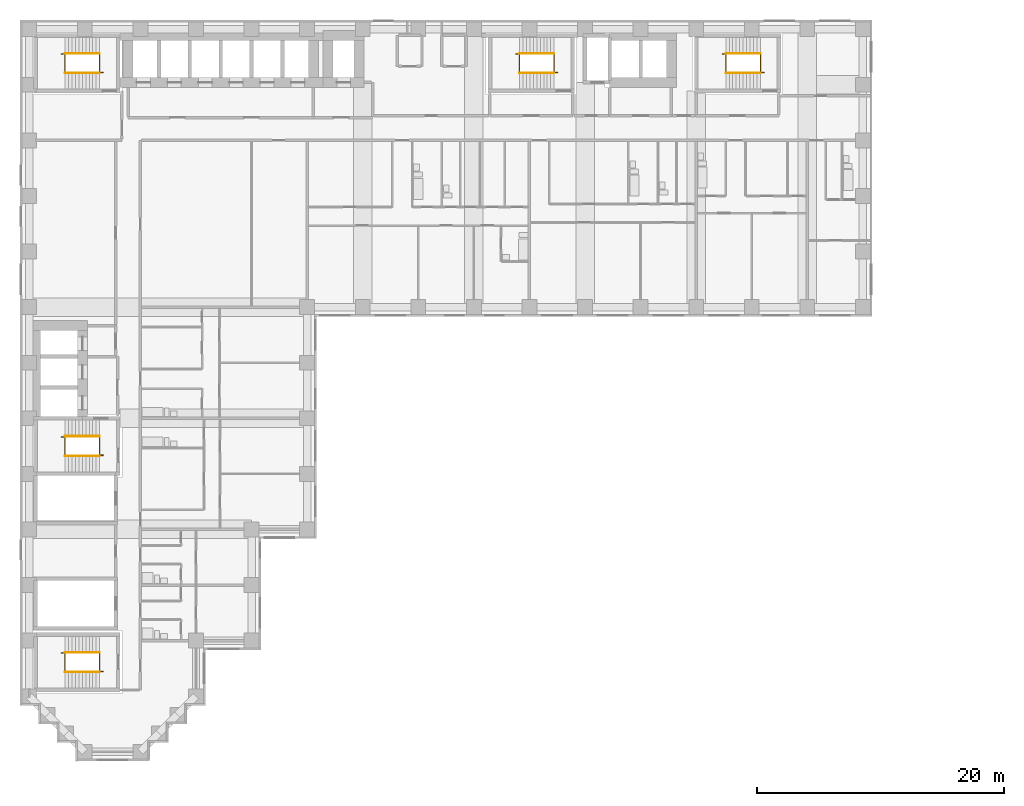
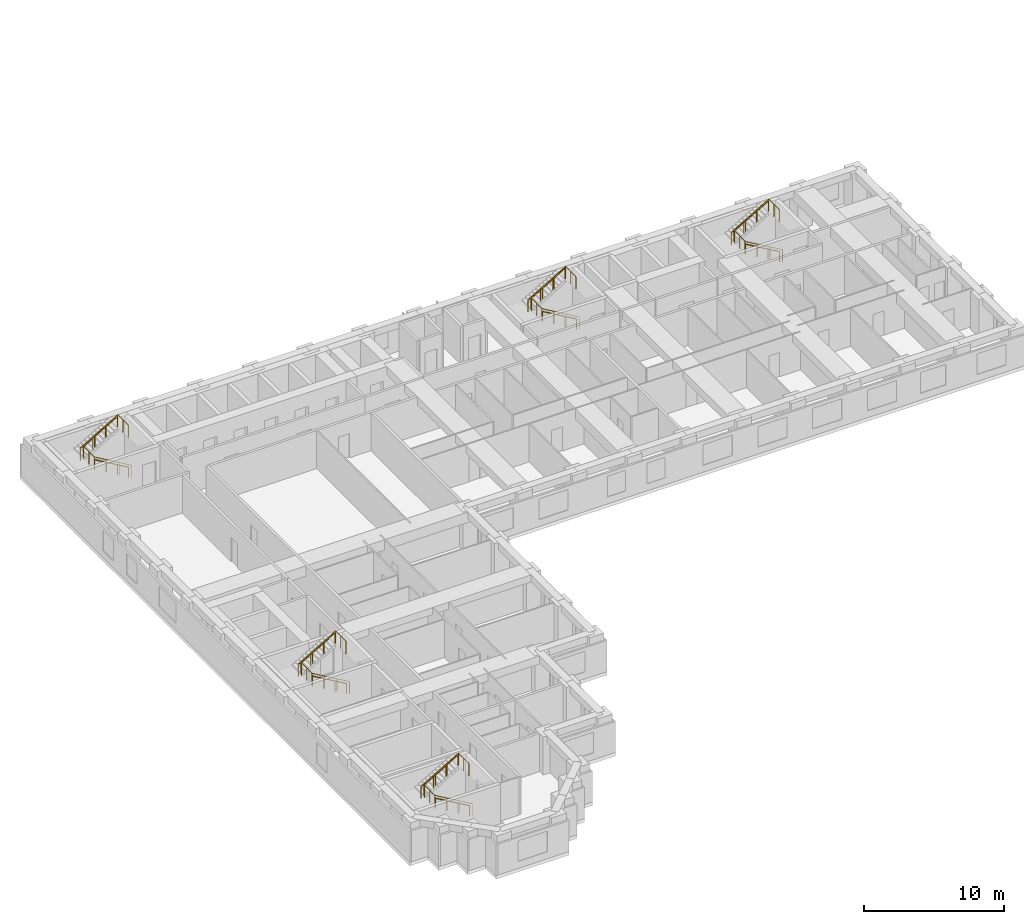
# One storey, part 13 of 14: 15 railings.
"""IFC4 building model written with IfcOpenShell, lengths in metres."""

import ifcopenshell
import ifcopenshell.guid

model = None  # the IFC model being written
_history = None  # IfcOwnerHistory: only IFC2X3 demands one
_inside = {}  # id of a spatial element -> (the spatial element, [elements in it])
_under = {}  # id of a project, library or spatial element -> (it, [spatial elements below it])
_declared = {}  # id of a project -> (the project, [libraries it declares])
_typed = {}  # id of a type object -> (the type object, [elements of that type])
_made_of = {}  # id of a material, layer set ... -> (it, [elements and type objects made of it])


def new_model(schema):
    """Start an empty IFC model of exactly this schema.

    Asked for "IFC4X3", IfcOpenShell would pick the latest addendum, in which some entities
    have other attributes; the version numbers below select the first issue.
    IFC2X3 requires an IfcOwnerHistory on every rooted entity: one is made here for all.
    """
    global model, _history
    if schema == "IFC4X3":
        model = ifcopenshell.file(schema_version=(4, 3, 0, 0))
    else:
        model = ifcopenshell.file(schema=schema)
    _inside.clear()
    _under.clear()
    _declared.clear()
    _typed.clear()
    _made_of.clear()
    _history = None
    if model.schema == "IFC2X3":
        org = make("IfcOrganization", Name="unknown")
        user = make(
            "IfcPersonAndOrganization",
            ThePerson=make("IfcPerson", FamilyName="unknown"),
            TheOrganization=org,
        )
        app = make(
            "IfcApplication",
            ApplicationDeveloper=org,
            Version="unknown",
            ApplicationFullName="unknown",
            ApplicationIdentifier="unknown",
        )
        _history = make(
            "IfcOwnerHistory",
            OwningUser=user,
            OwningApplication=app,
            ChangeAction="ADDED",
            CreationDate=0,
        )
    return model


def make(cls, **values):
    """One entity of the class cls with the attributes given. An attribute that is None is left unset."""
    return model.create_entity(
        cls, **{name: value for name, value in values.items() if value is not None}
    )


def rooted(cls, **values):
    """An entity with a GlobalId (a new one), such as an element, a storey or a relation."""
    return make(cls, GlobalId=ifcopenshell.guid.new(), OwnerHistory=_history, **values)


def si_unit(unit_type, name, prefix=None):
    """IfcSIUnit, for example si_unit("LENGTHUNIT", "METRE", prefix="MILLI")."""
    return make("IfcSIUnit", UnitType=unit_type, Prefix=prefix, Name=name)


def assignment(units):
    """IfcUnitAssignment: the units of a project."""
    return None if units is None else make("IfcUnitAssignment", Units=units)


def point(xyz):
    """IfcCartesianPoint."""
    return None if xyz is None else make("IfcCartesianPoint", Coordinates=xyz)


def direction(xyz):
    """IfcDirection."""
    return None if xyz is None else make("IfcDirection", DirectionRatios=xyz)


def frame(location, z_axis=None, x_axis=None):
    """IfcAxis2Placement3D, a coordinate frame: its origin and axes. An axis left out is left unset."""
    return make(
        "IfcAxis2Placement3D",
        Location=point(location),
        Axis=direction(z_axis),
        RefDirection=direction(x_axis),
    )


def frame_2d(location, x_axis=None):
    """IfcAxis2Placement2D, a coordinate frame in the plane: its origin and x axis."""
    return make(
        "IfcAxis2Placement2D", Location=point(location), RefDirection=direction(x_axis)
    )


def origin():
    """The frame at (0, 0, 0) with its axes left unset."""
    return frame((0.0, 0.0, 0.0))


def origin_2d():
    """The frame at (0, 0) in the plane with its x axis left unset."""
    return frame_2d((0.0, 0.0))


def place(relative_to, where):
    """IfcLocalPlacement: puts the frame where relative to a parent placement (None: the world)."""
    return make(
        "IfcLocalPlacement", PlacementRelTo=relative_to, RelativePlacement=where
    )


def context(
    kind, dimensions, precision=None, world=None, true_north=None, identifier=None
):
    """IfcGeometricRepresentationContext, for example the 3D "Model" context."""
    return make(
        "IfcGeometricRepresentationContext",
        ContextIdentifier=identifier,
        ContextType=kind,
        CoordinateSpaceDimension=dimensions,
        Precision=precision,
        WorldCoordinateSystem=world,
        TrueNorth=true_north,
    )


def subcontext(parent, identifier, kind, view, scale=None):
    """IfcGeometricRepresentationSubContext, for example "Body" below "Model"."""
    return make(
        "IfcGeometricRepresentationSubContext",
        ContextIdentifier=identifier,
        ContextType=kind,
        ParentContext=parent,
        TargetScale=scale,
        TargetView=view,
    )


def project(units=None, contexts=None):
    """IfcProject with its units and contexts."""
    return rooted(
        "IfcProject",
        Name="project",
        RepresentationContexts=contexts,
        UnitsInContext=assignment(units),
    )


def spatial(cls, under=None, at=None, **own):
    """A site, building, storey or space (cls), placed at a placement, below another one or the project."""
    s = rooted(cls, ObjectPlacement=at, **own)
    if under is not None:
        _under.setdefault(under.id(), (under, []))[1].append(s)
    return s


def profile(cls, at=None, kind="AREA", **sizes):
    """A parametric profile (cls). Its sizes go by their IFC names, for example OverallWidth=200.0."""
    return make(cls, ProfileType=kind, Position=at, **sizes)


def circle(**sizes):
    """IfcCircleProfileDef."""
    return profile("IfcCircleProfileDef", **sizes)


def extrude(swept, where, along, depth):
    """IfcExtrudedAreaSolid: the profile swept, set in the frame where, extruded along a direction by depth."""
    return make(
        "IfcExtrudedAreaSolid",
        SweptArea=swept,
        Position=where,
        ExtrudedDirection=direction(along),
        Depth=depth,
    )


def shape(context_of_items, identifier, shape_type, items):
    """IfcShapeRepresentation: the items that make up one representation, for example the "Body"."""
    return make(
        "IfcShapeRepresentation",
        ContextOfItems=context_of_items,
        RepresentationIdentifier=identifier,
        RepresentationType=shape_type,
        Items=items,
    )


def material(Name=None, Category=None):
    """IfcMaterial."""
    return make("IfcMaterial", Name=Name, Category=Category)


def made_of(thing, what):
    """Note that an element or type object is made of a material, layer set ...; save() writes the relation."""
    if what is not None:
        _made_of.setdefault(what.id(), (what, []))[1].append(thing)
    return thing


def type_object(cls, material=None, **own):
    """A type object (cls), such as IfcWallType, which elements share."""
    return made_of(rooted(cls, **own), material)


def element(
    cls,
    number,
    at=None,
    inside=None,
    cuts=None,
    type_object=None,
    material=None,
    context=None,
    identifier="Body",
    shape_type=None,
    held_by="IfcProductDefinitionShape",
    body=None,
    shapes=None,
    **own,
):
    """One element of the class cls, such as IfcWall. Its Tag is "e" and its number.

    at: its placement. inside: the storey or other place that contains it. cuts: it is an
    opening in that element (IfcRelVoidsElement). A single representation is given by context,
    identifier, shape_type and body (its items); several are given by shapes. held_by: the class
    of the entity that holds the representations. save() writes the other relations.
    """
    e = rooted(cls, Tag="e%d" % number, ObjectPlacement=at, **own)
    if body is not None:
        shapes = [shape(context, identifier, shape_type, body)]
    if shapes is not None:
        e.Representation = make(held_by, Representations=shapes)
    if inside is not None:
        _inside.setdefault(inside.id(), (inside, []))[1].append(e)
    if cuts is not None:
        rooted(
            "IfcRelVoidsElement", RelatingBuildingElement=cuts, RelatedOpeningElement=e
        )
    if type_object is not None:
        _typed.setdefault(type_object.id(), (type_object, []))[1].append(e)
    return made_of(e, material)


def aggregate(whole, parts):
    """IfcRelAggregates: a whole, such as a stair, and the parts it consists of."""
    return rooted("IfcRelAggregates", RelatingObject=whole, RelatedObjects=parts)


def save(model, path):
    """Write the relations noted so far, then the file.

    IfcRelAggregates (storeys below a building ...), IfcRelContainedInSpatialStructure (elements
    in a storey), IfcRelDefinesByType, IfcRelAssociatesMaterial and IfcRelDeclares: one each for
    every whole, place, type object, material and project.
    """
    for whole, parts in _under.values():
        aggregate(whole, parts)
    for where, things in _inside.values():
        rooted(
            "IfcRelContainedInSpatialStructure",
            RelatedElements=things,
            RelatingStructure=where,
        )
    for kind, things in _typed.values():
        rooted("IfcRelDefinesByType", RelatedObjects=things, RelatingType=kind)
    for what, things in _made_of.values():
        rooted("IfcRelAssociatesMaterial", RelatedObjects=things, RelatingMaterial=what)
    for by, libraries in _declared.values():
        rooted("IfcRelDeclares", RelatingContext=by, RelatedDefinitions=libraries)
    model.write(path)


model = new_model("IFC4")

# Units and contexts
model_context = context("Model", 3, precision=1e-05, world=origin(), true_north=direction((0.0, 1.0)))
body_context = subcontext(model_context, "Body", "Model", "MODEL_VIEW")
ifc_project = project(units=[si_unit("LENGTHUNIT", "METRE"), si_unit("AREAUNIT", "SQUARE_METRE"), si_unit("VOLUMEUNIT", "CUBIC_METRE"), si_unit("PLANEANGLEUNIT", "RADIAN"), si_unit("MASSUNIT", "GRAM", prefix="KILO")], contexts=[model_context])

# Site, building, storey
site_placement = place(None, origin())
site = spatial("IfcSite", under=ifc_project, at=site_placement, CompositionType="ELEMENT")
building_placement = place(site_placement, origin())
building = spatial("IfcBuilding", under=site, at=building_placement, Name="Firuza Court", CompositionType="ELEMENT")
storey_placement = place(building_placement, frame((0.0, 0.0, 32.60009765625)))
storey = spatial("IfcBuildingStorey", under=building, at=storey_placement, Name="L06", CompositionType="ELEMENT", Elevation=32.60009765625)

# Railings
ifc_material_1 = material(Name="Steel S355", Category="steel")
railing_type_1 = type_object("IfcRailingType", Name="Handrail 900", PredefinedType="HANDRAIL", material=ifc_material_1)
railing_1_placement = place(storey_placement, frame((42.5, 54.949951171875, 0.16357421875)))
element("IfcRailing", 1, at=railing_1_placement, inside=storey, type_object=railing_type_1, Name="Handrail S1 flight 1", PredefinedType="HANDRAIL", context=body_context, shape_type="SweptSolid", body=[
    extrude(circle(Radius=0.02490234375, at=origin_2d()), frame((0.0, 0.0, 0.875), z_axis=(-0.863393664356, 0.0, 0.504530851732), x_axis=(0.0, -1.0, 0.0)), (0.0, 0.0, 1.0), 3.2431640625),
    extrude(circle(Radius=0.02001953125, at=origin_2d()), origin(), (0.0, 0.0, 1.0), 0.849853515625),
    extrude(circle(Radius=0.02001953125, at=origin_2d()), frame((-0.933349609375, 0.0, 0.54541015625)), (0.0, 0.0, 1.0), 0.849853515625),
    extrude(circle(Radius=0.02001953125, at=origin_2d()), frame((-1.86669921875, 0.0, 1.0908203125)), (0.0, 0.0, 1.0), 0.849853515625),
    extrude(circle(Radius=0.02001953125, at=origin_2d()), frame((-2.800048828125, 0.0, 1.63623046875)), (0.0, 0.0, 1.0), 0.849853515625),
])
railing_2_placement = place(storey_placement, frame((39.699951171875, 56.550048828125, 1.963623046875)))
element("IfcRailing", 2, at=railing_2_placement, inside=storey, type_object=railing_type_1, Name="Handrail S1 flight 2", PredefinedType="HANDRAIL", context=body_context, shape_type="SweptSolid", body=[
    extrude(circle(Radius=0.02490234375, at=origin_2d()), frame((0.0, 0.0, 0.875), z_axis=(0.863393664356, 0.0, 0.504530851732), x_axis=(0.0, 1.0, 0.0)), (0.0, 0.0, 1.0), 3.2431640625),
    extrude(circle(Radius=0.02001953125, at=origin_2d()), origin(), (0.0, 0.0, 1.0), 0.849853515625),
    extrude(circle(Radius=0.02001953125, at=origin_2d()), frame((0.933349609375, 0.0, 0.54541015625)), (0.0, 0.0, 1.0), 0.849853515625),
    extrude(circle(Radius=0.02001953125, at=origin_2d()), frame((1.86669921875, 0.0, 1.0908203125)), (0.0, 0.0, 1.0), 0.849853515625),
    extrude(circle(Radius=0.02001953125, at=origin_2d()), frame((2.800048828125, 0.0, 1.63623046875)), (0.0, 0.0, 1.0), 0.849853515625),
])
railing_3_placement = place(storey_placement, frame((5.699951171875, 23.949951171875, 0.16357421875)))
element("IfcRailing", 3, at=railing_3_placement, inside=storey, type_object=railing_type_1, Name="Handrail S2 flight 1", PredefinedType="HANDRAIL", context=body_context, shape_type="SweptSolid", body=[
    extrude(circle(Radius=0.02490234375, at=origin_2d()), frame((0.0, 0.0, 0.875), z_axis=(-0.863393664356, 0.0, 0.504530851732), x_axis=(0.0, -1.0, 0.0)), (0.0, 0.0, 1.0), 3.2431640625),
    extrude(circle(Radius=0.02001953125, at=origin_2d()), origin(), (0.0, 0.0, 1.0), 0.849853515625),
    extrude(circle(Radius=0.02001953125, at=origin_2d()), frame((-0.933349609375, 0.0, 0.54541015625)), (0.0, 0.0, 1.0), 0.849853515625),
    extrude(circle(Radius=0.02001953125, at=origin_2d()), frame((-1.86669921875, 0.0, 1.0908203125)), (0.0, 0.0, 1.0), 0.849853515625),
    extrude(circle(Radius=0.02001953125, at=origin_2d()), frame((-2.800048828125, 0.0, 1.63623046875)), (0.0, 0.0, 1.0), 0.849853515625),
])
railing_4_placement = place(storey_placement, frame((2.89990234375, 25.550048828125, 1.963623046875)))
element("IfcRailing", 4, at=railing_4_placement, inside=storey, type_object=railing_type_1, Name="Handrail S2 flight 2", PredefinedType="HANDRAIL", context=body_context, shape_type="SweptSolid", body=[
    extrude(circle(Radius=0.02490234375, at=origin_2d()), frame((0.0, 0.0, 0.875), z_axis=(0.863393664356, 0.0, 0.504530851732), x_axis=(0.0, 1.0, 0.0)), (0.0, 0.0, 1.0), 3.2431640625),
    extrude(circle(Radius=0.02001953125, at=origin_2d()), origin(), (0.0, 0.0, 1.0), 0.849853515625),
    extrude(circle(Radius=0.02001953125, at=origin_2d()), frame((0.933349609375, 0.0, 0.54541015625)), (0.0, 0.0, 1.0), 0.849853515625),
    extrude(circle(Radius=0.02001953125, at=origin_2d()), frame((1.86669921875, 0.0, 1.0908203125)), (0.0, 0.0, 1.0), 0.849853515625),
    extrude(circle(Radius=0.02001953125, at=origin_2d()), frame((2.800048828125, 0.0, 1.63623046875)), (0.0, 0.0, 1.0), 0.849853515625),
])
railing_5_placement = place(storey_placement, frame((5.699951171875, 54.949951171875, 0.16357421875)))
element("IfcRailing", 5, at=railing_5_placement, inside=storey, type_object=railing_type_1, Name="Handrail S3 flight 1", PredefinedType="HANDRAIL", context=body_context, shape_type="SweptSolid", body=[
    extrude(circle(Radius=0.02490234375, at=origin_2d()), frame((0.0, 0.0, 0.875), z_axis=(-0.863393664356, 0.0, 0.504530851732), x_axis=(0.0, -1.0, 0.0)), (0.0, 0.0, 1.0), 3.2431640625),
    extrude(circle(Radius=0.02001953125, at=origin_2d()), origin(), (0.0, 0.0, 1.0), 0.849853515625),
    extrude(circle(Radius=0.02001953125, at=origin_2d()), frame((-0.933349609375, 0.0, 0.54541015625)), (0.0, 0.0, 1.0), 0.849853515625),
    extrude(circle(Radius=0.02001953125, at=origin_2d()), frame((-1.86669921875, 0.0, 1.0908203125)), (0.0, 0.0, 1.0), 0.849853515625),
    extrude(circle(Radius=0.02001953125, at=origin_2d()), frame((-2.800048828125, 0.0, 1.63623046875)), (0.0, 0.0, 1.0), 0.849853515625),
])
railing_6_placement = place(storey_placement, frame((2.89990234375, 56.550048828125, 1.963623046875)))
element("IfcRailing", 6, at=railing_6_placement, inside=storey, type_object=railing_type_1, Name="Handrail S3 flight 2", PredefinedType="HANDRAIL", context=body_context, shape_type="SweptSolid", body=[
    extrude(circle(Radius=0.02490234375, at=origin_2d()), frame((0.0, 0.0, 0.875), z_axis=(0.863393664356, 0.0, 0.504530851732), x_axis=(0.0, 1.0, 0.0)), (0.0, 0.0, 1.0), 3.2431640625),
    extrude(circle(Radius=0.02001953125, at=origin_2d()), origin(), (0.0, 0.0, 1.0), 0.849853515625),
    extrude(circle(Radius=0.02001953125, at=origin_2d()), frame((0.933349609375, 0.0, 0.54541015625)), (0.0, 0.0, 1.0), 0.849853515625),
    extrude(circle(Radius=0.02001953125, at=origin_2d()), frame((1.86669921875, 0.0, 1.0908203125)), (0.0, 0.0, 1.0), 0.849853515625),
    extrude(circle(Radius=0.02001953125, at=origin_2d()), frame((2.800048828125, 0.0, 1.63623046875)), (0.0, 0.0, 1.0), 0.849853515625),
])
railing_7_placement = place(storey_placement, frame((59.199951171875, 54.949951171875, 0.16357421875)))
element("IfcRailing", 7, at=railing_7_placement, inside=storey, type_object=railing_type_1, Name="Handrail S4 flight 1", PredefinedType="HANDRAIL", context=body_context, shape_type="SweptSolid", body=[
    extrude(circle(Radius=0.02490234375, at=origin_2d()), frame((0.0, 0.0, 0.875), z_axis=(-0.863393664356, 0.0, 0.504530851732), x_axis=(0.0, -1.0, 0.0)), (0.0, 0.0, 1.0), 3.2431640625),
    extrude(circle(Radius=0.02001953125, at=origin_2d()), origin(), (0.0, 0.0, 1.0), 0.849853515625),
    extrude(circle(Radius=0.02001953125, at=origin_2d()), frame((-0.933349609375, 0.0, 0.54541015625)), (0.0, 0.0, 1.0), 0.849853515625),
    extrude(circle(Radius=0.02001953125, at=origin_2d()), frame((-1.86669921875, 0.0, 1.0908203125)), (0.0, 0.0, 1.0), 0.849853515625),
    extrude(circle(Radius=0.02001953125, at=origin_2d()), frame((-2.800048828125, 0.0, 1.63623046875)), (0.0, 0.0, 1.0), 0.849853515625),
])
railing_8_placement = place(storey_placement, frame((56.39990234375, 56.550048828125, 1.963623046875)))
element("IfcRailing", 8, at=railing_8_placement, inside=storey, type_object=railing_type_1, Name="Handrail S4 flight 2", PredefinedType="HANDRAIL", context=body_context, shape_type="SweptSolid", body=[
    extrude(circle(Radius=0.02490234375, at=origin_2d()), frame((0.0, 0.0, 0.875), z_axis=(0.863393664356, 0.0, 0.504530851732), x_axis=(0.0, 1.0, 0.0)), (0.0, 0.0, 1.0), 3.2431640625),
    extrude(circle(Radius=0.02001953125, at=origin_2d()), origin(), (0.0, 0.0, 1.0), 0.849853515625),
    extrude(circle(Radius=0.02001953125, at=origin_2d()), frame((0.933349609375, 0.0, 0.54541015625)), (0.0, 0.0, 1.0), 0.849853515625),
    extrude(circle(Radius=0.02001953125, at=origin_2d()), frame((1.86669921875, 0.0, 1.0908203125)), (0.0, 0.0, 1.0), 0.849853515625),
    extrude(circle(Radius=0.02001953125, at=origin_2d()), frame((2.800048828125, 0.0, 1.63623046875)), (0.0, 0.0, 1.0), 0.849853515625),
])
railing_9_placement = place(storey_placement, frame((5.699951171875, 6.449951171875, 0.16357421875)))
element("IfcRailing", 9, at=railing_9_placement, inside=storey, type_object=railing_type_1, Name="Handrail S5 flight 1", PredefinedType="HANDRAIL", context=body_context, shape_type="SweptSolid", body=[
    extrude(circle(Radius=0.02490234375, at=origin_2d()), frame((0.0, 0.0, 0.875), z_axis=(-0.863393664356, 0.0, 0.504530851732), x_axis=(0.0, -1.0, 0.0)), (0.0, 0.0, 1.0), 3.2431640625),
    extrude(circle(Radius=0.02001953125, at=origin_2d()), origin(), (0.0, 0.0, 1.0), 0.849853515625),
    extrude(circle(Radius=0.02001953125, at=origin_2d()), frame((-0.933349609375, 0.0, 0.54541015625)), (0.0, 0.0, 1.0), 0.849853515625),
    extrude(circle(Radius=0.02001953125, at=origin_2d()), frame((-1.86669921875, 0.0, 1.0908203125)), (0.0, 0.0, 1.0), 0.849853515625),
    extrude(circle(Radius=0.02001953125, at=origin_2d()), frame((-2.800048828125, 0.0, 1.63623046875)), (0.0, 0.0, 1.0), 0.849853515625),
])
railing_10_placement = place(storey_placement, frame((2.89990234375, 8.050048828125, 1.963623046875)))
element("IfcRailing", 10, at=railing_10_placement, inside=storey, type_object=railing_type_1, Name="Handrail S5 flight 2", PredefinedType="HANDRAIL", context=body_context, shape_type="SweptSolid", body=[
    extrude(circle(Radius=0.02490234375, at=origin_2d()), frame((0.0, 0.0, 0.875), z_axis=(0.863393664356, 0.0, 0.504530851732), x_axis=(0.0, 1.0, 0.0)), (0.0, 0.0, 1.0), 3.2431640625),
    extrude(circle(Radius=0.02001953125, at=origin_2d()), origin(), (0.0, 0.0, 1.0), 0.849853515625),
    extrude(circle(Radius=0.02001953125, at=origin_2d()), frame((0.933349609375, 0.0, 0.54541015625)), (0.0, 0.0, 1.0), 0.849853515625),
    extrude(circle(Radius=0.02001953125, at=origin_2d()), frame((1.86669921875, 0.0, 1.0908203125)), (0.0, 0.0, 1.0), 0.849853515625),
    extrude(circle(Radius=0.02001953125, at=origin_2d()), frame((2.800048828125, 0.0, 1.63623046875)), (0.0, 0.0, 1.0), 0.849853515625),
])
ifc_material_2 = material(Name="Steel S355", Category="steel")
railing_type_2 = type_object("IfcRailingType", Name="Stair guard 1100", PredefinedType="GUARDRAIL", material=ifc_material_2)
railing_11_placement = place(storey_placement, frame((42.780029296875, 55.010009765625, 0.0)))
element("IfcRailing", 11, at=railing_11_placement, inside=storey, type_object=railing_type_2, Name="Stair well guard S1", PredefinedType="GUARDRAIL", context=body_context, shape_type="SweptSolid", body=[
    extrude(circle(Radius=0.02490234375, at=origin_2d()), frame((0.0, 0.0, 1.0751953125), z_axis=(-0.863401368682, 0.0, 0.504517667242), x_axis=(0.0, -1.0, 0.0)), (0.0, 0.0, 1.0), 3.5673828125),
    extrude(circle(Radius=0.02490234375, at=origin_2d()), frame((-3.080078125, 0.0, 2.875), z_axis=(0.0, 1.0, 0.0), x_axis=(-1.0, 0.0, 0.0)), (0.0, 0.0, 1.0), 1.47998046875),
    extrude(circle(Radius=0.02490234375, at=origin_2d()), frame((-3.080078125, 1.47998046875, 2.875), z_axis=(-1.0, 0.0, 0.0), x_axis=(0.0, -1.0, 0.0)), (0.0, 0.0, 1.0), 0.280029296875),
    extrude(circle(Radius=0.02490234375, at=origin_2d()), frame((-3.360107421875, 1.47998046875, 2.875), z_axis=(0.863371556955, 0.0, 0.504568681787), x_axis=(0.0, 1.0, 0.0)), (0.0, 0.0, 1.0), 3.5673828125),
    extrude(circle(Radius=0.02490234375, at=origin_2d()), frame((-0.280029296875, 1.47998046875, 4.6748046875), z_axis=(0.0, -1.0, 0.0), x_axis=(1.0, 0.0, 0.0)), (0.0, 0.0, 1.0), 1.47998046875),
    extrude(circle(Radius=0.02490234375, at=origin_2d()), origin(), (0.0, 0.0, 1.0), 1.050048828125),
    extrude(circle(Radius=0.02490234375, at=origin_2d()), frame((-1.026611328125, 0.0, 0.599853515625)), (0.0, 0.0, 1.0), 1.050048828125),
    extrude(circle(Radius=0.02490234375, at=origin_2d()), frame((-2.053466796875, 0.0, 1.199951171875)), (0.0, 0.0, 1.0), 1.050048828125),
    extrude(circle(Radius=0.02490234375, at=origin_2d()), frame((-3.080078125, 0.0, 1.7998046875)), (0.0, 0.0, 1.0), 1.050048828125),
    extrude(circle(Radius=0.02490234375, at=origin_2d()), frame((-3.080078125, 0.739990234375, 1.7998046875)), (0.0, 0.0, 1.0), 1.050048828125),
    extrude(circle(Radius=0.02490234375, at=origin_2d()), frame((-3.080078125, 1.47998046875, 1.7998046875)), (0.0, 0.0, 1.0), 1.050048828125),
    extrude(circle(Radius=0.02490234375, at=origin_2d()), frame((-3.360107421875, 1.47998046875, 1.7998046875)), (0.0, 0.0, 1.0), 1.050048828125),
    extrude(circle(Radius=0.02490234375, at=origin_2d()), frame((-2.33349609375, 1.47998046875, 2.39990234375)), (0.0, 0.0, 1.0), 1.050048828125),
    extrude(circle(Radius=0.02490234375, at=origin_2d()), frame((-1.306640625, 1.47998046875, 2.999755859375)), (0.0, 0.0, 1.0), 1.050048828125),
    extrude(circle(Radius=0.02490234375, at=origin_2d()), frame((-0.280029296875, 1.47998046875, 3.599853515625)), (0.0, 0.0, 1.0), 1.050048828125),
    extrude(circle(Radius=0.02490234375, at=origin_2d()), frame((-0.280029296875, 0.739990234375, 3.599853515625)), (0.0, 0.0, 1.0), 1.050048828125),
    extrude(circle(Radius=0.02490234375, at=origin_2d()), frame((-0.280029296875, 0.0, 3.599853515625)), (0.0, 0.0, 1.0), 1.050048828125),
])
railing_12_placement = place(storey_placement, frame((5.97998046875, 24.010009765625, 0.0)))
element("IfcRailing", 12, at=railing_12_placement, inside=storey, type_object=railing_type_2, Name="Stair well guard S2", PredefinedType="GUARDRAIL", context=body_context, shape_type="SweptSolid", body=[
    extrude(circle(Radius=0.02490234375, at=origin_2d()), frame((0.0, 0.0, 1.0751953125), z_axis=(-0.863401368682, 0.0, 0.504517667242), x_axis=(0.0, -1.0, 0.0)), (0.0, 0.0, 1.0), 3.5673828125),
    extrude(circle(Radius=0.02490234375, at=origin_2d()), frame((-3.080078125, 0.0, 2.875), z_axis=(0.0, 1.0, 0.0), x_axis=(-1.0, 0.0, 0.0)), (0.0, 0.0, 1.0), 1.47998046875),
    extrude(circle(Radius=0.02490234375, at=origin_2d()), frame((-3.080078125, 1.47998046875, 2.875), z_axis=(-1.0, 0.0, 0.0), x_axis=(0.0, -1.0, 0.0)), (0.0, 0.0, 1.0), 0.27978515625),
    extrude(circle(Radius=0.02490234375, at=origin_2d()), frame((-3.35986328125, 1.47998046875, 2.875), z_axis=(0.863354132664, 0.0, 0.504598495452), x_axis=(0.0, 1.0, 0.0)), (0.0, 0.0, 1.0), 3.5673828125),
    extrude(circle(Radius=0.02490234375, at=origin_2d()), frame((-0.280029296875, 1.47998046875, 4.6748046875), z_axis=(0.0, -1.0, 0.0), x_axis=(1.0, 0.0, 0.0)), (0.0, 0.0, 1.0), 1.47998046875),
    extrude(circle(Radius=0.02490234375, at=origin_2d()), origin(), (0.0, 0.0, 1.0), 1.050048828125),
    extrude(circle(Radius=0.02490234375, at=origin_2d()), frame((-1.026611328125, 0.0, 0.599853515625)), (0.0, 0.0, 1.0), 1.050048828125),
    extrude(circle(Radius=0.02490234375, at=origin_2d()), frame((-2.053466796875, 0.0, 1.199951171875)), (0.0, 0.0, 1.0), 1.050048828125),
    extrude(circle(Radius=0.02490234375, at=origin_2d()), frame((-3.080078125, 0.0, 1.7998046875)), (0.0, 0.0, 1.0), 1.050048828125),
    extrude(circle(Radius=0.02490234375, at=origin_2d()), frame((-3.080078125, 0.739990234375, 1.7998046875)), (0.0, 0.0, 1.0), 1.050048828125),
    extrude(circle(Radius=0.02490234375, at=origin_2d()), frame((-3.080078125, 1.47998046875, 1.7998046875)), (0.0, 0.0, 1.0), 1.050048828125),
    extrude(circle(Radius=0.02490234375, at=origin_2d()), frame((-3.35986328125, 1.47998046875, 1.7998046875)), (0.0, 0.0, 1.0), 1.050048828125),
    extrude(circle(Radius=0.02490234375, at=origin_2d()), frame((-2.333251953125, 1.47998046875, 2.39990234375)), (0.0, 0.0, 1.0), 1.050048828125),
    extrude(circle(Radius=0.02490234375, at=origin_2d()), frame((-1.306640625, 1.47998046875, 2.999755859375)), (0.0, 0.0, 1.0), 1.050048828125),
    extrude(circle(Radius=0.02490234375, at=origin_2d()), frame((-0.280029296875, 1.47998046875, 3.599853515625)), (0.0, 0.0, 1.0), 1.050048828125),
    extrude(circle(Radius=0.02490234375, at=origin_2d()), frame((-0.280029296875, 0.739990234375, 3.599853515625)), (0.0, 0.0, 1.0), 1.050048828125),
    extrude(circle(Radius=0.02490234375, at=origin_2d()), frame((-0.280029296875, 0.0, 3.599853515625)), (0.0, 0.0, 1.0), 1.050048828125),
])
railing_13_placement = place(storey_placement, frame((5.97998046875, 55.010009765625, 0.0)))
element("IfcRailing", 13, at=railing_13_placement, inside=storey, type_object=railing_type_2, Name="Stair well guard S3", PredefinedType="GUARDRAIL", context=body_context, shape_type="SweptSolid", body=[
    extrude(circle(Radius=0.02490234375, at=origin_2d()), frame((0.0, 0.0, 1.0751953125), z_axis=(-0.863401368682, 0.0, 0.504517667242), x_axis=(0.0, -1.0, 0.0)), (0.0, 0.0, 1.0), 3.5673828125),
    extrude(circle(Radius=0.02490234375, at=origin_2d()), frame((-3.080078125, 0.0, 2.875), z_axis=(0.0, 1.0, 0.0), x_axis=(-1.0, 0.0, 0.0)), (0.0, 0.0, 1.0), 1.47998046875),
    extrude(circle(Radius=0.02490234375, at=origin_2d()), frame((-3.080078125, 1.47998046875, 2.875), z_axis=(-1.0, 0.0, 0.0), x_axis=(0.0, -1.0, 0.0)), (0.0, 0.0, 1.0), 0.27978515625),
    extrude(circle(Radius=0.02490234375, at=origin_2d()), frame((-3.35986328125, 1.47998046875, 2.875), z_axis=(0.863354132664, 0.0, 0.504598495452), x_axis=(0.0, 1.0, 0.0)), (0.0, 0.0, 1.0), 3.5673828125),
    extrude(circle(Radius=0.02490234375, at=origin_2d()), frame((-0.280029296875, 1.47998046875, 4.6748046875), z_axis=(0.0, -1.0, 0.0), x_axis=(1.0, 0.0, 0.0)), (0.0, 0.0, 1.0), 1.47998046875),
    extrude(circle(Radius=0.02490234375, at=origin_2d()), origin(), (0.0, 0.0, 1.0), 1.050048828125),
    extrude(circle(Radius=0.02490234375, at=origin_2d()), frame((-1.026611328125, 0.0, 0.599853515625)), (0.0, 0.0, 1.0), 1.050048828125),
    extrude(circle(Radius=0.02490234375, at=origin_2d()), frame((-2.053466796875, 0.0, 1.199951171875)), (0.0, 0.0, 1.0), 1.050048828125),
    extrude(circle(Radius=0.02490234375, at=origin_2d()), frame((-3.080078125, 0.0, 1.7998046875)), (0.0, 0.0, 1.0), 1.050048828125),
    extrude(circle(Radius=0.02490234375, at=origin_2d()), frame((-3.080078125, 0.739990234375, 1.7998046875)), (0.0, 0.0, 1.0), 1.050048828125),
    extrude(circle(Radius=0.02490234375, at=origin_2d()), frame((-3.080078125, 1.47998046875, 1.7998046875)), (0.0, 0.0, 1.0), 1.050048828125),
    extrude(circle(Radius=0.02490234375, at=origin_2d()), frame((-3.35986328125, 1.47998046875, 1.7998046875)), (0.0, 0.0, 1.0), 1.050048828125),
    extrude(circle(Radius=0.02490234375, at=origin_2d()), frame((-2.333251953125, 1.47998046875, 2.39990234375)), (0.0, 0.0, 1.0), 1.050048828125),
    extrude(circle(Radius=0.02490234375, at=origin_2d()), frame((-1.306640625, 1.47998046875, 2.999755859375)), (0.0, 0.0, 1.0), 1.050048828125),
    extrude(circle(Radius=0.02490234375, at=origin_2d()), frame((-0.280029296875, 1.47998046875, 3.599853515625)), (0.0, 0.0, 1.0), 1.050048828125),
    extrude(circle(Radius=0.02490234375, at=origin_2d()), frame((-0.280029296875, 0.739990234375, 3.599853515625)), (0.0, 0.0, 1.0), 1.050048828125),
    extrude(circle(Radius=0.02490234375, at=origin_2d()), frame((-0.280029296875, 0.0, 3.599853515625)), (0.0, 0.0, 1.0), 1.050048828125),
])
railing_14_placement = place(storey_placement, frame((59.47998046875, 55.010009765625, 0.0)))
element("IfcRailing", 14, at=railing_14_placement, inside=storey, type_object=railing_type_2, Name="Stair well guard S4", PredefinedType="GUARDRAIL", context=body_context, shape_type="SweptSolid", body=[
    extrude(circle(Radius=0.02490234375, at=origin_2d()), frame((0.0, 0.0, 1.0751953125), z_axis=(-0.863401368682, 0.0, 0.504517667242), x_axis=(0.0, -1.0, 0.0)), (0.0, 0.0, 1.0), 3.5673828125),
    extrude(circle(Radius=0.02490234375, at=origin_2d()), frame((-3.080078125, 0.0, 2.875), z_axis=(0.0, 1.0, 0.0), x_axis=(-1.0, 0.0, 0.0)), (0.0, 0.0, 1.0), 1.47998046875),
    extrude(circle(Radius=0.02490234375, at=origin_2d()), frame((-3.080078125, 1.47998046875, 2.875), z_axis=(-1.0, 0.0, 0.0), x_axis=(0.0, -1.0, 0.0)), (0.0, 0.0, 1.0), 0.27978515625),
    extrude(circle(Radius=0.02490234375, at=origin_2d()), frame((-3.35986328125, 1.47998046875, 2.875), z_axis=(0.863354132664, 0.0, 0.504598495452), x_axis=(0.0, 1.0, 0.0)), (0.0, 0.0, 1.0), 3.5673828125),
    extrude(circle(Radius=0.02490234375, at=origin_2d()), frame((-0.280029296875, 1.47998046875, 4.6748046875), z_axis=(0.0, -1.0, 0.0), x_axis=(1.0, 0.0, 0.0)), (0.0, 0.0, 1.0), 1.47998046875),
    extrude(circle(Radius=0.02490234375, at=origin_2d()), origin(), (0.0, 0.0, 1.0), 1.050048828125),
    extrude(circle(Radius=0.02490234375, at=origin_2d()), frame((-1.026611328125, 0.0, 0.599853515625)), (0.0, 0.0, 1.0), 1.050048828125),
    extrude(circle(Radius=0.02490234375, at=origin_2d()), frame((-2.053466796875, 0.0, 1.199951171875)), (0.0, 0.0, 1.0), 1.050048828125),
    extrude(circle(Radius=0.02490234375, at=origin_2d()), frame((-3.080078125, 0.0, 1.7998046875)), (0.0, 0.0, 1.0), 1.050048828125),
    extrude(circle(Radius=0.02490234375, at=origin_2d()), frame((-3.080078125, 0.739990234375, 1.7998046875)), (0.0, 0.0, 1.0), 1.050048828125),
    extrude(circle(Radius=0.02490234375, at=origin_2d()), frame((-3.080078125, 1.47998046875, 1.7998046875)), (0.0, 0.0, 1.0), 1.050048828125),
    extrude(circle(Radius=0.02490234375, at=origin_2d()), frame((-3.35986328125, 1.47998046875, 1.7998046875)), (0.0, 0.0, 1.0), 1.050048828125),
    extrude(circle(Radius=0.02490234375, at=origin_2d()), frame((-2.333251953125, 1.47998046875, 2.39990234375)), (0.0, 0.0, 1.0), 1.050048828125),
    extrude(circle(Radius=0.02490234375, at=origin_2d()), frame((-1.306640625, 1.47998046875, 2.999755859375)), (0.0, 0.0, 1.0), 1.050048828125),
    extrude(circle(Radius=0.02490234375, at=origin_2d()), frame((-0.280029296875, 1.47998046875, 3.599853515625)), (0.0, 0.0, 1.0), 1.050048828125),
    extrude(circle(Radius=0.02490234375, at=origin_2d()), frame((-0.280029296875, 0.739990234375, 3.599853515625)), (0.0, 0.0, 1.0), 1.050048828125),
    extrude(circle(Radius=0.02490234375, at=origin_2d()), frame((-0.280029296875, 0.0, 3.599853515625)), (0.0, 0.0, 1.0), 1.050048828125),
])
railing_15_placement = place(storey_placement, frame((5.97998046875, 6.510009765625, 0.0)))
element("IfcRailing", 15, at=railing_15_placement, inside=storey, type_object=railing_type_2, Name="Stair well guard S5", PredefinedType="GUARDRAIL", context=body_context, shape_type="SweptSolid", body=[
    extrude(circle(Radius=0.02490234375, at=origin_2d()), frame((0.0, 0.0, 1.0751953125), z_axis=(-0.863401368682, 0.0, 0.504517667242), x_axis=(0.0, -1.0, 0.0)), (0.0, 0.0, 1.0), 3.5673828125),
    extrude(circle(Radius=0.02490234375, at=origin_2d()), frame((-3.080078125, 0.0, 2.875), z_axis=(0.0, 1.0, 0.0), x_axis=(-1.0, 0.0, 0.0)), (0.0, 0.0, 1.0), 1.47998046875),
    extrude(circle(Radius=0.02490234375, at=origin_2d()), frame((-3.080078125, 1.47998046875, 2.875), z_axis=(-1.0, 0.0, 0.0), x_axis=(0.0, -1.0, 0.0)), (0.0, 0.0, 1.0), 0.27978515625),
    extrude(circle(Radius=0.02490234375, at=origin_2d()), frame((-3.35986328125, 1.47998046875, 2.875), z_axis=(0.863354132664, 0.0, 0.504598495452), x_axis=(0.0, 1.0, 0.0)), (0.0, 0.0, 1.0), 3.5673828125),
    extrude(circle(Radius=0.02490234375, at=origin_2d()), frame((-0.280029296875, 1.47998046875, 4.6748046875), z_axis=(0.0, -1.0, 0.0), x_axis=(1.0, 0.0, 0.0)), (0.0, 0.0, 1.0), 1.47998046875),
    extrude(circle(Radius=0.02490234375, at=origin_2d()), origin(), (0.0, 0.0, 1.0), 1.050048828125),
    extrude(circle(Radius=0.02490234375, at=origin_2d()), frame((-1.026611328125, 0.0, 0.599853515625)), (0.0, 0.0, 1.0), 1.050048828125),
    extrude(circle(Radius=0.02490234375, at=origin_2d()), frame((-2.053466796875, 0.0, 1.199951171875)), (0.0, 0.0, 1.0), 1.050048828125),
    extrude(circle(Radius=0.02490234375, at=origin_2d()), frame((-3.080078125, 0.0, 1.7998046875)), (0.0, 0.0, 1.0), 1.050048828125),
    extrude(circle(Radius=0.02490234375, at=origin_2d()), frame((-3.080078125, 0.739990234375, 1.7998046875)), (0.0, 0.0, 1.0), 1.050048828125),
    extrude(circle(Radius=0.02490234375, at=origin_2d()), frame((-3.080078125, 1.47998046875, 1.7998046875)), (0.0, 0.0, 1.0), 1.050048828125),
    extrude(circle(Radius=0.02490234375, at=origin_2d()), frame((-3.35986328125, 1.47998046875, 1.7998046875)), (0.0, 0.0, 1.0), 1.050048828125),
    extrude(circle(Radius=0.02490234375, at=origin_2d()), frame((-2.333251953125, 1.47998046875, 2.39990234375)), (0.0, 0.0, 1.0), 1.050048828125),
    extrude(circle(Radius=0.02490234375, at=origin_2d()), frame((-1.306640625, 1.47998046875, 2.999755859375)), (0.0, 0.0, 1.0), 1.050048828125),
    extrude(circle(Radius=0.02490234375, at=origin_2d()), frame((-0.280029296875, 1.47998046875, 3.599853515625)), (0.0, 0.0, 1.0), 1.050048828125),
    extrude(circle(Radius=0.02490234375, at=origin_2d()), frame((-0.280029296875, 0.739990234375, 3.599853515625)), (0.0, 0.0, 1.0), 1.050048828125),
    extrude(circle(Radius=0.02490234375, at=origin_2d()), frame((-0.280029296875, 0.0, 3.599853515625)), (0.0, 0.0, 1.0), 1.050048828125),
])

save(model, "model.ifc")
